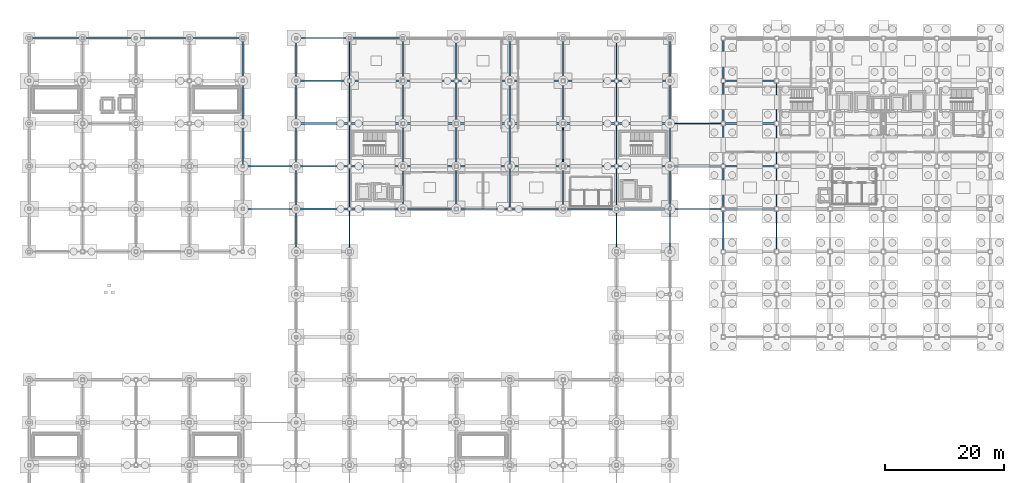
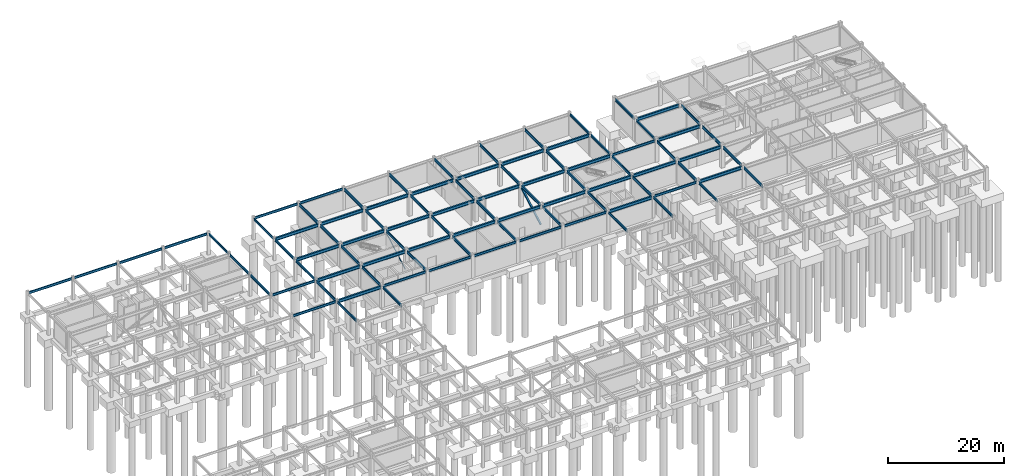
# One storey, part 19 of 28: 91 beams, 2 members.
"""IFC4 building model written with IfcOpenShell, lengths in metres."""

from ifc_helpers import new_model, si_unit, direction, frame, origin, origin_2d, place, context, subcontext, project, spatial, hollow_rectangle, hollow_circle, i_section, extrude, material, material_profile, profile_set, type_object, element, save


model = new_model("IFC4")

# Units and contexts
model_context = context("Model", 3, precision=1e-05, world=origin(), true_north=direction((0.0, 1.0)))
body_context = subcontext(model_context, "Body", "Model", "MODEL_VIEW")
ifc_project = project(units=[si_unit("LENGTHUNIT", "METRE"), si_unit("AREAUNIT", "SQUARE_METRE"), si_unit("VOLUMEUNIT", "CUBIC_METRE"), si_unit("PLANEANGLEUNIT", "RADIAN"), si_unit("MASSUNIT", "GRAM", prefix="KILO")], contexts=[model_context])

# Site, building, storey
site_placement = place(None, origin())
site = spatial("IfcSite", under=ifc_project, at=site_placement, CompositionType="ELEMENT")
building_placement = place(site_placement, origin())
building = spatial("IfcBuilding", under=site, at=building_placement, Name="Kazanami Central Library", CompositionType="ELEMENT")
storey_placement = place(building_placement, frame((0.0, 0.0, -4.89990234375)))
storey = spatial("IfcBuildingStorey", under=building, at=storey_placement, Name="B01", CompositionType="ELEMENT", Elevation=-4.89990234375)

# Beams
ifc_material_1 = material(Name="Steel SN490B (325 MPa)", Category="steel")
ifc_material_profile_1 = material_profile(ifc_material_1, i_section(OverallWidth=0.199951171875, OverallDepth=0.60009765625, WebThickness=0.010986328125, FlangeThickness=0.01708984375, at=origin_2d()), Name="H-600x200x11x17")
ifc_profile_set_1 = profile_set([ifc_material_profile_1], Name="Steel SN490B (325 MPa)")
beam_type_1 = type_object("IfcBeamType", Name="BM-G-BY1", PredefinedType="BEAM", material=ifc_profile_set_1)
beam_1_placement = place(storey_placement, frame((45.0, 65.048095703125, 4.324951171875), z_axis=(0.0, 1.0, 0.0), x_axis=(-1.0, 0.0, 0.0)))
element("IfcBeam", 1, at=beam_1_placement, inside=storey, type_object=beam_type_1, Name="Girder G-BY1 B01 6/K-L", PredefinedType="BEAM", context=body_context, shape_type="SweptSolid", body=[
    extrude(i_section(OverallWidth=0.199951171875, OverallDepth=0.60009765625, WebThickness=0.010986328125, FlangeThickness=0.01708984375, at=origin_2d()), origin(), (0.0, 0.0, 1.0), 6.703857421875),
])
for number, where, z_axis, x_axis, name in (
    (2, (54.0, 65.123046875, 4.324951171875), (0.0, 1.0, 0.0), (-1.0, 0.0, 0.0), "Girder G-BY1 B01 7/K-L"),
    (3, (54.0, 72.322998046875, 4.324951171875), (0.0, 1.0, 0.0), (-1.0, 0.0, 0.0), "Girder G-BY1 B01 7/L-M"),
    (4, (54.0, 79.52294921875, 4.324951171875), (0.0, 1.0, 0.0), (-1.0, 0.0, 0.0), "Girder G-BY1 B01 7/M-N"),
):
    element("IfcBeam", number, at=place(storey_placement, frame(where, z_axis=z_axis, x_axis=x_axis)), inside=storey, type_object=beam_type_1, Name=name, PredefinedType="BEAM", context=body_context, shape_type="SweptSolid", body=[
        extrude(i_section(OverallWidth=0.199951171875, OverallDepth=0.60009765625, WebThickness=0.010986328125, FlangeThickness=0.01708984375, at=origin_2d()), origin(), (0.0, 0.0, 1.0), 6.553955078125),
    ])
beam_2_placement = place(storey_placement, frame((54.0, 86.722900390625, 4.324951171875), z_axis=(0.0, 1.0, 0.0), x_axis=(-1.0, 0.0, 0.0)))
element("IfcBeam", 5, at=beam_2_placement, inside=storey, type_object=beam_type_1, Name="Girder G-BY1 B01 7/N-O", PredefinedType="BEAM", context=body_context, shape_type="SweptSolid", body=[
    extrude(i_section(OverallWidth=0.199951171875, OverallDepth=0.60009765625, WebThickness=0.010986328125, FlangeThickness=0.01708984375, at=origin_2d()), origin(), (0.0, 0.0, 1.0), 6.629150390625),
])
for number, where, z_axis, x_axis, name in (
    (6, (63.0, 65.123046875, 4.324951171875), (0.0, 1.0, 0.0), (-1.0, 0.0, 0.0), "Girder G-BY1 B01 8/K-L"),
    (7, (63.0, 72.322998046875, 4.324951171875), (0.0, 1.0, 0.0), (-1.0, 0.0, 0.0), "Girder G-BY1 B01 8/L-M"),
    (8, (63.0, 79.52294921875, 4.324951171875), (0.0, 1.0, 0.0), (-1.0, 0.0, 0.0), "Girder G-BY1 B01 8/M-N"),
):
    element("IfcBeam", number, at=place(storey_placement, frame(where, z_axis=z_axis, x_axis=x_axis)), inside=storey, type_object=beam_type_1, Name=name, PredefinedType="BEAM", context=body_context, shape_type="SweptSolid", body=[
        extrude(i_section(OverallWidth=0.199951171875, OverallDepth=0.60009765625, WebThickness=0.010986328125, FlangeThickness=0.01708984375, at=origin_2d()), origin(), (0.0, 0.0, 1.0), 6.553955078125),
    ])
beam_3_placement = place(storey_placement, frame((63.0, 86.722900390625, 4.324951171875), z_axis=(0.0, 1.0, 0.0), x_axis=(-1.0, 0.0, 0.0)))
element("IfcBeam", 9, at=beam_3_placement, inside=storey, type_object=beam_type_1, Name="Girder G-BY1 B01 8/N-O", PredefinedType="BEAM", context=body_context, shape_type="SweptSolid", body=[
    extrude(i_section(OverallWidth=0.199951171875, OverallDepth=0.60009765625, WebThickness=0.010986328125, FlangeThickness=0.01708984375, at=origin_2d()), origin(), (0.0, 0.0, 1.0), 6.629150390625),
])
for number, where, z_axis, x_axis, name in (
    (10, (72.0, 65.123046875, 4.324951171875), (0.0, 1.0, 0.0), (-1.0, 0.0, 0.0), "Girder G-BY1 B01 9/K-L"),
    (11, (72.0, 72.322998046875, 4.324951171875), (0.0, 1.0, 0.0), (-1.0, 0.0, 0.0), "Girder G-BY1 B01 9/L-M"),
    (12, (72.0, 79.52294921875, 4.324951171875), (0.0, 1.0, 0.0), (-1.0, 0.0, 0.0), "Girder G-BY1 B01 9/M-N"),
):
    element("IfcBeam", number, at=place(storey_placement, frame(where, z_axis=z_axis, x_axis=x_axis)), inside=storey, type_object=beam_type_1, Name=name, PredefinedType="BEAM", context=body_context, shape_type="SweptSolid", body=[
        extrude(i_section(OverallWidth=0.199951171875, OverallDepth=0.60009765625, WebThickness=0.010986328125, FlangeThickness=0.01708984375, at=origin_2d()), origin(), (0.0, 0.0, 1.0), 6.553955078125),
    ])
beam_4_placement = place(storey_placement, frame((72.0, 86.722900390625, 4.324951171875), z_axis=(0.0, 1.0, 0.0), x_axis=(-1.0, 0.0, 0.0)))
element("IfcBeam", 13, at=beam_4_placement, inside=storey, type_object=beam_type_1, Name="Girder G-BY1 B01 9/N-O", PredefinedType="BEAM", context=body_context, shape_type="SweptSolid", body=[
    extrude(i_section(OverallWidth=0.199951171875, OverallDepth=0.60009765625, WebThickness=0.010986328125, FlangeThickness=0.01708984375, at=origin_2d()), origin(), (0.0, 0.0, 1.0), 6.629150390625),
])
for number, where, z_axis, x_axis, name in (
    (14, (81.0, 65.123046875, 4.324951171875), (0.0, 1.0, 0.0), (-1.0, 0.0, 0.0), "Girder G-BY1 B01 10/K-L"),
    (15, (81.0, 72.322998046875, 4.324951171875), (0.0, 1.0, 0.0), (-1.0, 0.0, 0.0), "Girder G-BY1 B01 10/L-M"),
    (16, (81.0, 79.52294921875, 4.324951171875), (0.0, 1.0, 0.0), (-1.0, 0.0, 0.0), "Girder G-BY1 B01 10/M-N"),
):
    element("IfcBeam", number, at=place(storey_placement, frame(where, z_axis=z_axis, x_axis=x_axis)), inside=storey, type_object=beam_type_1, Name=name, PredefinedType="BEAM", context=body_context, shape_type="SweptSolid", body=[
        extrude(i_section(OverallWidth=0.199951171875, OverallDepth=0.60009765625, WebThickness=0.010986328125, FlangeThickness=0.01708984375, at=origin_2d()), origin(), (0.0, 0.0, 1.0), 6.553955078125),
    ])
beam_5_placement = place(storey_placement, frame((81.0, 86.722900390625, 4.324951171875), z_axis=(0.0, 1.0, 0.0), x_axis=(-1.0, 0.0, 0.0)))
element("IfcBeam", 17, at=beam_5_placement, inside=storey, type_object=beam_type_1, Name="Girder G-BY1 B01 10/N-O", PredefinedType="BEAM", context=body_context, shape_type="SweptSolid", body=[
    extrude(i_section(OverallWidth=0.199951171875, OverallDepth=0.60009765625, WebThickness=0.010986328125, FlangeThickness=0.01708984375, at=origin_2d()), origin(), (0.0, 0.0, 1.0), 6.629150390625),
])
for number, where, z_axis, x_axis, name in (
    (18, (90.0, 65.123046875, 4.324951171875), (0.0, 1.0, 0.0), (-1.0, 0.0, 0.0), "Girder G-BY1 B01 11/K-L"),
    (19, (90.0, 72.322998046875, 4.324951171875), (0.0, 1.0, 0.0), (-1.0, 0.0, 0.0), "Girder G-BY1 B01 11/L-M"),
    (20, (90.0, 79.52294921875, 4.324951171875), (0.0, 1.0, 0.0), (-1.0, 0.0, 0.0), "Girder G-BY1 B01 11/M-N"),
):
    element("IfcBeam", number, at=place(storey_placement, frame(where, z_axis=z_axis, x_axis=x_axis)), inside=storey, type_object=beam_type_1, Name=name, PredefinedType="BEAM", context=body_context, shape_type="SweptSolid", body=[
        extrude(i_section(OverallWidth=0.199951171875, OverallDepth=0.60009765625, WebThickness=0.010986328125, FlangeThickness=0.01708984375, at=origin_2d()), origin(), (0.0, 0.0, 1.0), 6.553955078125),
    ])
beam_6_placement = place(storey_placement, frame((90.0, 86.722900390625, 4.324951171875), z_axis=(0.0, 1.0, 0.0), x_axis=(-1.0, 0.0, 0.0)))
element("IfcBeam", 21, at=beam_6_placement, inside=storey, type_object=beam_type_1, Name="Girder G-BY1 B01 11/N-O", PredefinedType="BEAM", context=body_context, shape_type="SweptSolid", body=[
    extrude(i_section(OverallWidth=0.199951171875, OverallDepth=0.60009765625, WebThickness=0.010986328125, FlangeThickness=0.01708984375, at=origin_2d()), origin(), (0.0, 0.0, 1.0), 6.629150390625),
])
for number, where, z_axis, x_axis, name in (
    (22, (99.0, 65.123046875, 4.324951171875), (0.0, 1.0, 0.0), (-1.0, 0.0, 0.0), "Girder G-BY1 B01 12/K-L"),
    (23, (99.0, 72.322998046875, 4.324951171875), (0.0, 1.0, 0.0), (-1.0, 0.0, 0.0), "Girder G-BY1 B01 12/L-M"),
    (24, (99.0, 79.52294921875, 4.324951171875), (0.0, 1.0, 0.0), (-1.0, 0.0, 0.0), "Girder G-BY1 B01 12/M-N"),
):
    element("IfcBeam", number, at=place(storey_placement, frame(where, z_axis=z_axis, x_axis=x_axis)), inside=storey, type_object=beam_type_1, Name=name, PredefinedType="BEAM", context=body_context, shape_type="SweptSolid", body=[
        extrude(i_section(OverallWidth=0.199951171875, OverallDepth=0.60009765625, WebThickness=0.010986328125, FlangeThickness=0.01708984375, at=origin_2d()), origin(), (0.0, 0.0, 1.0), 6.553955078125),
    ])
beam_7_placement = place(storey_placement, frame((99.0, 86.722900390625, 4.324951171875), z_axis=(0.0, 1.0, 0.0), x_axis=(-1.0, 0.0, 0.0)))
element("IfcBeam", 25, at=beam_7_placement, inside=storey, type_object=beam_type_1, Name="Girder G-BY1 B01 12/N-O", PredefinedType="BEAM", context=body_context, shape_type="SweptSolid", body=[
    extrude(i_section(OverallWidth=0.199951171875, OverallDepth=0.60009765625, WebThickness=0.010986328125, FlangeThickness=0.01708984375, at=origin_2d()), origin(), (0.0, 0.0, 1.0), 6.629150390625),
])
for number, where, z_axis, x_axis, name in (
    (26, (108.0, 65.048095703125, 4.324951171875), (0.0, 1.0, 0.0), (-1.0, 0.0, 0.0), "Girder G-BY1 B01 13/K-L"),
    (27, (108.0, 72.248046875, 4.324951171875), (0.0, 1.0, 0.0), (-1.0, 0.0, 0.0), "Girder G-BY1 B01 13/L-M"),
):
    element("IfcBeam", number, at=place(storey_placement, frame(where, z_axis=z_axis, x_axis=x_axis)), inside=storey, type_object=beam_type_1, Name=name, PredefinedType="BEAM", context=body_context, shape_type="SweptSolid", body=[
        extrude(i_section(OverallWidth=0.199951171875, OverallDepth=0.60009765625, WebThickness=0.010986328125, FlangeThickness=0.01708984375, at=origin_2d()), origin(), (0.0, 0.0, 1.0), 6.703857421875),
    ])
for number, where, z_axis, x_axis, name in (
    (28, (117.0, 65.14794921875, 4.324951171875), (0.0, 1.0, 0.0), (-1.0, 0.0, 0.0), "Girder G-BY1 B01 14/K-L"),
    (29, (117.0, 72.347900390625, 4.324951171875), (0.0, 1.0, 0.0), (-1.0, 0.0, 0.0), "Girder G-BY1 B01 14/L-M"),
):
    element("IfcBeam", number, at=place(storey_placement, frame(where, z_axis=z_axis, x_axis=x_axis)), inside=storey, type_object=beam_type_1, Name=name, PredefinedType="BEAM", context=body_context, shape_type="SweptSolid", body=[
        extrude(i_section(OverallWidth=0.199951171875, OverallDepth=0.60009765625, WebThickness=0.010986328125, FlangeThickness=0.01708984375, at=origin_2d()), origin(), (0.0, 0.0, 1.0), 6.504150390625),
    ])
beam_8_placement = place(storey_placement, frame((126.0, 57.972900390625, 4.324951171875), z_axis=(0.0, 1.0, 0.0), x_axis=(-1.0, 0.0, 0.0)))
element("IfcBeam", 30, at=beam_8_placement, inside=storey, type_object=beam_type_1, Name="Girder G-BY1 B01 15/J-K", PredefinedType="BEAM", context=body_context, shape_type="SweptSolid", body=[
    extrude(i_section(OverallWidth=0.199951171875, OverallDepth=0.60009765625, WebThickness=0.010986328125, FlangeThickness=0.01708984375, at=origin_2d()), origin(), (0.0, 0.0, 1.0), 6.4541015625),
])
for number, where, z_axis, x_axis, name in (
    (31, (126.0, 65.173095703125, 4.324951171875), (0.0, 1.0, 0.0), (-1.0, 0.0, 0.0), "Girder G-BY1 B01 15/K-L"),
    (32, (126.0, 72.373046875, 4.324951171875), (0.0, 1.0, 0.0), (-1.0, 0.0, 0.0), "Girder G-BY1 B01 15/L-M"),
):
    element("IfcBeam", number, at=place(storey_placement, frame(where, z_axis=z_axis, x_axis=x_axis)), inside=storey, type_object=beam_type_1, Name=name, PredefinedType="BEAM", context=body_context, shape_type="SweptSolid", body=[
        extrude(i_section(OverallWidth=0.199951171875, OverallDepth=0.60009765625, WebThickness=0.010986328125, FlangeThickness=0.01708984375, at=origin_2d()), origin(), (0.0, 0.0, 1.0), 6.453857421875),
    ])
beam_9_placement = place(storey_placement, frame((126.0, 79.572998046875, 4.324951171875), z_axis=(0.0, 1.0, 0.0), x_axis=(-1.0, 0.0, 0.0)))
element("IfcBeam", 33, at=beam_9_placement, inside=storey, type_object=beam_type_1, Name="Girder G-BY1 B01 15/M-N", PredefinedType="BEAM", context=body_context, shape_type="SweptSolid", body=[
    extrude(i_section(OverallWidth=0.199951171875, OverallDepth=0.60009765625, WebThickness=0.010986328125, FlangeThickness=0.01708984375, at=origin_2d()), origin(), (0.0, 0.0, 1.0), 6.4541015625),
])
ifc_material_profile_2 = material_profile(ifc_material_1, i_section(OverallWidth=0.300048828125, OverallDepth=0.64990234375, WebThickness=0.012939453125, FlangeThickness=0.02099609375, at=origin_2d()), Name="H-650x300x13x21")
ifc_profile_set_2 = profile_set([ifc_material_profile_2], Name="Steel SN490B (325 MPa)")
beam_type_2 = type_object("IfcBeamType", Name="BM-G-TR", PredefinedType="BEAM", material=ifc_profile_set_2)
for number, where, z_axis, x_axis, name in (
    (34, (45.248046875, 64.800048828125, 4.2998046875), (1.0, 0.0, 0.0), (0.0, 1.0, 0.0), "Girder G-TR B01 K/6-7"),
    (35, (99.322998046875, 64.800048828125, 4.2998046875), (1.0, 0.0, 0.0), (0.0, 1.0, 0.0), "Girder G-TR B01 K/12-13"),
):
    element("IfcBeam", number, at=place(storey_placement, frame(where, z_axis=z_axis, x_axis=x_axis)), inside=storey, type_object=beam_type_2, Name=name, PredefinedType="BEAM", context=body_context, shape_type="SweptSolid", body=[
        extrude(i_section(OverallWidth=0.300048828125, OverallDepth=0.64990234375, WebThickness=0.012939453125, FlangeThickness=0.02099609375, at=origin_2d()), origin(), (0.0, 0.0, 1.0), 8.428955078125),
    ])
beam_10_placement = place(storey_placement, frame((117.347900390625, 64.800048828125, 4.2998046875), z_axis=(1.0, 0.0, 0.0), x_axis=(0.0, 1.0, 0.0)))
element("IfcBeam", 36, at=beam_10_placement, inside=storey, type_object=beam_type_2, Name="Girder G-TR B01 K/14-15", PredefinedType="BEAM", context=body_context, shape_type="SweptSolid", body=[
    extrude(i_section(OverallWidth=0.300048828125, OverallDepth=0.64990234375, WebThickness=0.012939453125, FlangeThickness=0.02099609375, at=origin_2d()), origin(), (0.0, 0.0, 1.0), 8.279052734375),
])
beam_11_placement = place(storey_placement, frame((45.248046875, 72.0, 4.2998046875), z_axis=(1.0, 0.0, 0.0), x_axis=(0.0, 1.0, 0.0)))
element("IfcBeam", 37, at=beam_11_placement, inside=storey, type_object=beam_type_2, Name="Girder G-TR B01 L/6-7", PredefinedType="BEAM", context=body_context, shape_type="SweptSolid", body=[
    extrude(i_section(OverallWidth=0.300048828125, OverallDepth=0.64990234375, WebThickness=0.012939453125, FlangeThickness=0.02099609375, at=origin_2d()), origin(), (0.0, 0.0, 1.0), 8.428955078125),
])
for number, where, z_axis, x_axis, name in (
    (38, (54.322998046875, 72.0, 4.2998046875), (1.0, 0.0, 0.0), (0.0, 1.0, 0.0), "Girder G-TR B01 L/7-8"),
    (39, (63.322998046875, 72.0, 4.2998046875), (1.0, 0.0, 0.0), (0.0, 1.0, 0.0), "Girder G-TR B01 L/8-9"),
    (40, (72.322998046875, 72.0, 4.2998046875), (1.0, 0.0, 0.0), (0.0, 1.0, 0.0), "Girder G-TR B01 L/9-10"),
    (41, (81.322998046875, 72.0, 4.2998046875), (1.0, 0.0, 0.0), (0.0, 1.0, 0.0), "Girder G-TR B01 L/10-11"),
    (42, (90.322998046875, 72.0, 4.2998046875), (1.0, 0.0, 0.0), (0.0, 1.0, 0.0), "Girder G-TR B01 L/11-12"),
):
    element("IfcBeam", number, at=place(storey_placement, frame(where, z_axis=z_axis, x_axis=x_axis)), inside=storey, type_object=beam_type_2, Name=name, PredefinedType="BEAM", context=body_context, shape_type="SweptSolid", body=[
        extrude(i_section(OverallWidth=0.300048828125, OverallDepth=0.64990234375, WebThickness=0.012939453125, FlangeThickness=0.02099609375, at=origin_2d()), origin(), (0.0, 0.0, 1.0), 8.35400390625),
    ])
beam_12_placement = place(storey_placement, frame((99.322998046875, 72.0, 4.2998046875), z_axis=(1.0, 0.0, 0.0), x_axis=(0.0, 1.0, 0.0)))
element("IfcBeam", 43, at=beam_12_placement, inside=storey, type_object=beam_type_2, Name="Girder G-TR B01 L/12-13", PredefinedType="BEAM", context=body_context, shape_type="SweptSolid", body=[
    extrude(i_section(OverallWidth=0.300048828125, OverallDepth=0.64990234375, WebThickness=0.012939453125, FlangeThickness=0.02099609375, at=origin_2d()), origin(), (0.0, 0.0, 1.0), 8.428955078125),
])
beam_13_placement = place(storey_placement, frame((108.248046875, 72.0, 4.2998046875), z_axis=(1.0, 0.0, 0.0), x_axis=(0.0, 1.0, 0.0)))
element("IfcBeam", 44, at=beam_13_placement, inside=storey, type_object=beam_type_2, Name="Covered Link Bridge Girder G-TR B01 L/13-14", PredefinedType="BEAM", context=body_context, shape_type="SweptSolid", body=[
    extrude(i_section(OverallWidth=0.300048828125, OverallDepth=0.64990234375, WebThickness=0.012939453125, FlangeThickness=0.02099609375, at=origin_2d()), origin(), (0.0, 0.0, 1.0), 8.404052734375),
])
beam_14_placement = place(storey_placement, frame((117.347900390625, 72.0, 4.2998046875), z_axis=(1.0, 0.0, 0.0), x_axis=(0.0, 1.0, 0.0)))
element("IfcBeam", 45, at=beam_14_placement, inside=storey, type_object=beam_type_2, Name="Girder G-TR B01 L/14-15", PredefinedType="BEAM", context=body_context, shape_type="SweptSolid", body=[
    extrude(i_section(OverallWidth=0.300048828125, OverallDepth=0.64990234375, WebThickness=0.012939453125, FlangeThickness=0.02099609375, at=origin_2d()), origin(), (0.0, 0.0, 1.0), 8.279052734375),
])
beam_15_placement = place(storey_placement, frame((45.248046875, 79.199951171875, 4.2998046875), z_axis=(1.0, 0.0, 0.0), x_axis=(0.0, 1.0, 0.0)))
element("IfcBeam", 46, at=beam_15_placement, inside=storey, type_object=beam_type_2, Name="Girder G-TR B01 M/6-7", PredefinedType="BEAM", context=body_context, shape_type="SweptSolid", body=[
    extrude(i_section(OverallWidth=0.300048828125, OverallDepth=0.64990234375, WebThickness=0.012939453125, FlangeThickness=0.02099609375, at=origin_2d()), origin(), (0.0, 0.0, 1.0), 8.428955078125),
])
for number, where, z_axis, x_axis, name in (
    (47, (54.322998046875, 79.199951171875, 4.2998046875), (1.0, 0.0, 0.0), (0.0, 1.0, 0.0), "Girder G-TR B01 M/7-8"),
    (48, (63.322998046875, 79.199951171875, 4.2998046875), (1.0, 0.0, 0.0), (0.0, 1.0, 0.0), "Girder G-TR B01 M/8-9"),
    (49, (72.322998046875, 79.199951171875, 4.2998046875), (1.0, 0.0, 0.0), (0.0, 1.0, 0.0), "Girder G-TR B01 M/9-10"),
    (50, (81.322998046875, 79.199951171875, 4.2998046875), (1.0, 0.0, 0.0), (0.0, 1.0, 0.0), "Girder G-TR B01 M/10-11"),
    (51, (90.322998046875, 79.199951171875, 4.2998046875), (1.0, 0.0, 0.0), (0.0, 1.0, 0.0), "Girder G-TR B01 M/11-12"),
):
    element("IfcBeam", number, at=place(storey_placement, frame(where, z_axis=z_axis, x_axis=x_axis)), inside=storey, type_object=beam_type_2, Name=name, PredefinedType="BEAM", context=body_context, shape_type="SweptSolid", body=[
        extrude(i_section(OverallWidth=0.300048828125, OverallDepth=0.64990234375, WebThickness=0.012939453125, FlangeThickness=0.02099609375, at=origin_2d()), origin(), (0.0, 0.0, 1.0), 8.35400390625),
    ])
beam_16_placement = place(storey_placement, frame((99.322998046875, 79.199951171875, 4.2998046875), z_axis=(1.0, 0.0, 0.0), x_axis=(0.0, 1.0, 0.0)))
element("IfcBeam", 52, at=beam_16_placement, inside=storey, type_object=beam_type_2, Name="Girder G-TR B01 M/12-13", PredefinedType="BEAM", context=body_context, shape_type="SweptSolid", body=[
    extrude(i_section(OverallWidth=0.300048828125, OverallDepth=0.64990234375, WebThickness=0.012939453125, FlangeThickness=0.02099609375, at=origin_2d()), origin(), (0.0, 0.0, 1.0), 8.428955078125),
])
beam_17_placement = place(storey_placement, frame((117.347900390625, 79.199951171875, 4.2998046875), z_axis=(1.0, 0.0, 0.0), x_axis=(0.0, 1.0, 0.0)))
element("IfcBeam", 53, at=beam_17_placement, inside=storey, type_object=beam_type_2, Name="Girder G-TR B01 M/14-15", PredefinedType="BEAM", context=body_context, shape_type="SweptSolid", body=[
    extrude(i_section(OverallWidth=0.300048828125, OverallDepth=0.64990234375, WebThickness=0.012939453125, FlangeThickness=0.02099609375, at=origin_2d()), origin(), (0.0, 0.0, 1.0), 8.279052734375),
])
beam_18_placement = place(storey_placement, frame((45.248046875, 86.39990234375, 4.2998046875), z_axis=(1.0, 0.0, 0.0), x_axis=(0.0, 1.0, 0.0)))
element("IfcBeam", 54, at=beam_18_placement, inside=storey, type_object=beam_type_2, Name="Girder G-TR B01 N/6-7", PredefinedType="BEAM", context=body_context, shape_type="SweptSolid", body=[
    extrude(i_section(OverallWidth=0.300048828125, OverallDepth=0.64990234375, WebThickness=0.012939453125, FlangeThickness=0.02099609375, at=origin_2d()), origin(), (0.0, 0.0, 1.0), 8.428955078125),
])
for number, where, z_axis, x_axis, name in (
    (55, (54.322998046875, 86.39990234375, 4.2998046875), (1.0, 0.0, 0.0), (0.0, 1.0, 0.0), "Girder G-TR B01 N/7-8"),
    (56, (63.322998046875, 86.39990234375, 4.2998046875), (1.0, 0.0, 0.0), (0.0, 1.0, 0.0), "Girder G-TR B01 N/8-9"),
    (57, (72.322998046875, 86.39990234375, 4.2998046875), (1.0, 0.0, 0.0), (0.0, 1.0, 0.0), "Girder G-TR B01 N/9-10"),
    (58, (81.322998046875, 86.39990234375, 4.2998046875), (1.0, 0.0, 0.0), (0.0, 1.0, 0.0), "Girder G-TR B01 N/10-11"),
    (59, (90.322998046875, 86.39990234375, 4.2998046875), (1.0, 0.0, 0.0), (0.0, 1.0, 0.0), "Girder G-TR B01 N/11-12"),
):
    element("IfcBeam", number, at=place(storey_placement, frame(where, z_axis=z_axis, x_axis=x_axis)), inside=storey, type_object=beam_type_2, Name=name, PredefinedType="BEAM", context=body_context, shape_type="SweptSolid", body=[
        extrude(i_section(OverallWidth=0.300048828125, OverallDepth=0.64990234375, WebThickness=0.012939453125, FlangeThickness=0.02099609375, at=origin_2d()), origin(), (0.0, 0.0, 1.0), 8.35400390625),
    ])
beam_19_placement = place(storey_placement, frame((99.322998046875, 86.39990234375, 4.2998046875), z_axis=(1.0, 0.0, 0.0), x_axis=(0.0, 1.0, 0.0)))
element("IfcBeam", 60, at=beam_19_placement, inside=storey, type_object=beam_type_2, Name="Girder G-TR B01 N/12-13", PredefinedType="BEAM", context=body_context, shape_type="SweptSolid", body=[
    extrude(i_section(OverallWidth=0.300048828125, OverallDepth=0.64990234375, WebThickness=0.012939453125, FlangeThickness=0.02099609375, at=origin_2d()), origin(), (0.0, 0.0, 1.0), 8.428955078125),
])
beam_20_placement = place(storey_placement, frame((117.347900390625, 86.39990234375, 4.2998046875), z_axis=(1.0, 0.0, 0.0), x_axis=(0.0, 1.0, 0.0)))
element("IfcBeam", 61, at=beam_20_placement, inside=storey, type_object=beam_type_2, Name="Girder G-TR B01 N/14-15", PredefinedType="BEAM", context=body_context, shape_type="SweptSolid", body=[
    extrude(i_section(OverallWidth=0.300048828125, OverallDepth=0.64990234375, WebThickness=0.012939453125, FlangeThickness=0.02099609375, at=origin_2d()), origin(), (0.0, 0.0, 1.0), 8.279052734375),
])
ifc_material_profile_3 = material_profile(ifc_material_1, i_section(OverallWidth=0.199951171875, OverallDepth=0.5, WebThickness=0.010009765625, FlangeThickness=0.01611328125, at=origin_2d()), Name="H-500x200x10x16")
ifc_profile_set_3 = profile_set([ifc_material_profile_3], Name="Steel SN490B (325 MPa)")
beam_type_3 = type_object("IfcBeamType", Name="BM-SP-1", PredefinedType="SPANDREL", material=ifc_profile_set_3)
beam_21_placement = place(storey_placement, frame((36.248046875, 64.800048828125, 4.375), z_axis=(1.0, 0.0, 0.0), x_axis=(0.0, 1.0, 0.0)))
element("IfcBeam", 62, at=beam_21_placement, inside=storey, type_object=beam_type_3, Name="Covered Link Bridge Girder SP-1 B01 K/5-6", PredefinedType="SPANDREL", context=body_context, shape_type="SweptSolid", body=[
    extrude(i_section(OverallWidth=0.199951171875, OverallDepth=0.5, WebThickness=0.010009765625, FlangeThickness=0.01611328125, at=origin_2d()), origin(), (0.0, 0.0, 1.0), 8.50390625),
])
for number, where, z_axis, x_axis, name in (
    (63, (54.322998046875, 64.800048828125, 4.375), (1.0, 0.0, 0.0), (0.0, 1.0, 0.0), "Girder SP-1 B01 K/7-8"),
    (64, (63.322998046875, 64.800048828125, 4.375), (1.0, 0.0, 0.0), (0.0, 1.0, 0.0), "Girder SP-1 B01 K/8-9"),
    (65, (72.322998046875, 64.800048828125, 4.375), (1.0, 0.0, 0.0), (0.0, 1.0, 0.0), "Girder SP-1 B01 K/9-10"),
    (66, (81.322998046875, 64.800048828125, 4.375), (1.0, 0.0, 0.0), (0.0, 1.0, 0.0), "Girder SP-1 B01 K/10-11"),
    (67, (90.322998046875, 64.800048828125, 4.375), (1.0, 0.0, 0.0), (0.0, 1.0, 0.0), "Girder SP-1 B01 K/11-12"),
):
    element("IfcBeam", number, at=place(storey_placement, frame(where, z_axis=z_axis, x_axis=x_axis)), inside=storey, type_object=beam_type_3, Name=name, PredefinedType="SPANDREL", context=body_context, shape_type="SweptSolid", body=[
        extrude(i_section(OverallWidth=0.199951171875, OverallDepth=0.5, WebThickness=0.010009765625, FlangeThickness=0.01611328125, at=origin_2d()), origin(), (0.0, 0.0, 1.0), 8.35400390625),
    ])
beam_22_placement = place(storey_placement, frame((108.248046875, 64.800048828125, 4.375), z_axis=(1.0, 0.0, 0.0), x_axis=(0.0, 1.0, 0.0)))
element("IfcBeam", 68, at=beam_22_placement, inside=storey, type_object=beam_type_3, Name="Covered Link Bridge Girder SP-1 B01 K/13-14", PredefinedType="SPANDREL", context=body_context, shape_type="SweptSolid", body=[
    extrude(i_section(OverallWidth=0.199951171875, OverallDepth=0.5, WebThickness=0.010009765625, FlangeThickness=0.01611328125, at=origin_2d()), origin(), (0.0, 0.0, 1.0), 8.404052734375),
])
beam_23_placement = place(storey_placement, frame((36.248046875, 72.0, 4.375), z_axis=(1.0, 0.0, 0.0), x_axis=(0.0, 1.0, 0.0)))
element("IfcBeam", 69, at=beam_23_placement, inside=storey, type_object=beam_type_3, Name="Covered Link Bridge Girder SP-1 B01 L/5-6", PredefinedType="SPANDREL", context=body_context, shape_type="SweptSolid", body=[
    extrude(i_section(OverallWidth=0.199951171875, OverallDepth=0.5, WebThickness=0.010009765625, FlangeThickness=0.01611328125, at=origin_2d()), origin(), (0.0, 0.0, 1.0), 8.50390625),
])
beam_24_placement = place(storey_placement, frame((108.248046875, 79.199951171875, 4.375), z_axis=(1.0, 0.0, 0.0), x_axis=(0.0, 1.0, 0.0)))
element("IfcBeam", 70, at=beam_24_placement, inside=storey, type_object=beam_type_3, Name="Covered Link Bridge Girder SP-1 B01 M/13-14", PredefinedType="SPANDREL", context=body_context, shape_type="SweptSolid", body=[
    extrude(i_section(OverallWidth=0.199951171875, OverallDepth=0.5, WebThickness=0.010009765625, FlangeThickness=0.01611328125, at=origin_2d()), origin(), (0.0, 0.0, 1.0), 8.404052734375),
])
for number, where, z_axis, x_axis, name in (
    (71, (0.248046875, 93.60009765625, 4.375), (1.0, 0.0, 0.0), (0.0, 1.0, 0.0), "Girder SP-1 B01 O/1-2"),
    (72, (9.248046875, 93.60009765625, 4.375), (1.0, 0.0, 0.0), (0.0, 1.0, 0.0), "Girder SP-1 B01 O/2-3"),
    (73, (18.248046875, 93.60009765625, 4.375), (1.0, 0.0, 0.0), (0.0, 1.0, 0.0), "Girder SP-1 B01 O/3-4"),
    (74, (27.248046875, 93.60009765625, 4.375), (1.0, 0.0, 0.0), (0.0, 1.0, 0.0), "Girder SP-1 B01 O/4-5"),
    (75, (45.248046875, 93.60009765625, 4.375), (1.0, 0.0, 0.0), (0.0, 1.0, 0.0), "Girder SP-1 B01 O/6-7"),
    (76, (54.248046875, 93.60009765625, 4.375), (1.0, 0.0, 0.0), (0.0, 1.0, 0.0), "Girder SP-1 B01 O/7-8"),
):
    element("IfcBeam", number, at=place(storey_placement, frame(where, z_axis=z_axis, x_axis=x_axis)), inside=storey, type_object=beam_type_3, Name=name, PredefinedType="SPANDREL", context=body_context, shape_type="SweptSolid", body=[
        extrude(i_section(OverallWidth=0.199951171875, OverallDepth=0.5, WebThickness=0.010009765625, FlangeThickness=0.01611328125, at=origin_2d()), origin(), (0.0, 0.0, 1.0), 8.50390625),
    ])
beam_25_placement = place(storey_placement, frame((36.0, 72.248046875, 4.375), z_axis=(0.0, 1.0, 0.0), x_axis=(-1.0, 0.0, 0.0)))
element("IfcBeam", 77, at=beam_25_placement, inside=storey, type_object=beam_type_3, Name="Girder SP-1 B01 5/L-M", PredefinedType="SPANDREL", context=body_context, shape_type="SweptSolid", body=[
    extrude(i_section(OverallWidth=0.199951171875, OverallDepth=0.5, WebThickness=0.010009765625, FlangeThickness=0.01611328125, at=origin_2d()), origin(), (0.0, 0.0, 1.0), 6.703857421875),
])
for number, where, z_axis, x_axis, name in (
    (78, (36.0, 79.447998046875, 4.375), (0.0, 1.0, 0.0), (-1.0, 0.0, 0.0), "Girder SP-1 B01 5/M-N"),
    (79, (36.0, 86.64794921875, 4.375), (0.0, 1.0, 0.0), (-1.0, 0.0, 0.0), "Girder SP-1 B01 5/N-O"),
    (80, (45.0, 57.847900390625, 4.375), (0.0, 1.0, 0.0), (-1.0, 0.0, 0.0), "Girder SP-1 B01 6/J-K"),
):
    element("IfcBeam", number, at=place(storey_placement, frame(where, z_axis=z_axis, x_axis=x_axis)), inside=storey, type_object=beam_type_3, Name=name, PredefinedType="SPANDREL", context=body_context, shape_type="SweptSolid", body=[
        extrude(i_section(OverallWidth=0.199951171875, OverallDepth=0.5, WebThickness=0.010009765625, FlangeThickness=0.01611328125, at=origin_2d()), origin(), (0.0, 0.0, 1.0), 6.7041015625),
    ])
beam_26_placement = place(storey_placement, frame((45.0, 72.248046875, 4.375), z_axis=(0.0, 1.0, 0.0), x_axis=(-1.0, 0.0, 0.0)))
element("IfcBeam", 81, at=beam_26_placement, inside=storey, type_object=beam_type_3, Name="Girder SP-1 B01 6/L-M", PredefinedType="SPANDREL", context=body_context, shape_type="SweptSolid", body=[
    extrude(i_section(OverallWidth=0.199951171875, OverallDepth=0.5, WebThickness=0.010009765625, FlangeThickness=0.01611328125, at=origin_2d()), origin(), (0.0, 0.0, 1.0), 6.703857421875),
])
for number, where, z_axis, x_axis, name in (
    (82, (45.0, 79.447998046875, 4.375), (0.0, 1.0, 0.0), (-1.0, 0.0, 0.0), "Girder SP-1 B01 6/M-N"),
    (83, (45.0, 86.64794921875, 4.375), (0.0, 1.0, 0.0), (-1.0, 0.0, 0.0), "Girder SP-1 B01 6/N-O"),
):
    element("IfcBeam", number, at=place(storey_placement, frame(where, z_axis=z_axis, x_axis=x_axis)), inside=storey, type_object=beam_type_3, Name=name, PredefinedType="SPANDREL", context=body_context, shape_type="SweptSolid", body=[
        extrude(i_section(OverallWidth=0.199951171875, OverallDepth=0.5, WebThickness=0.010009765625, FlangeThickness=0.01611328125, at=origin_2d()), origin(), (0.0, 0.0, 1.0), 6.7041015625),
    ])
for number, where, z_axis, x_axis, name in (
    (84, (54.0, 57.923095703125, 4.375), (0.0, 1.0, 0.0), (-1.0, 0.0, 0.0), "Girder SP-1 B01 7/J-K"),
    (85, (99.0, 57.923095703125, 4.375), (0.0, 1.0, 0.0), (-1.0, 0.0, 0.0), "Girder SP-1 B01 12/J-K"),
):
    element("IfcBeam", number, at=place(storey_placement, frame(where, z_axis=z_axis, x_axis=x_axis)), inside=storey, type_object=beam_type_3, Name=name, PredefinedType="SPANDREL", context=body_context, shape_type="SweptSolid", body=[
        extrude(i_section(OverallWidth=0.199951171875, OverallDepth=0.5, WebThickness=0.010009765625, FlangeThickness=0.01611328125, at=origin_2d()), origin(), (0.0, 0.0, 1.0), 6.553955078125),
    ])
for number, where, z_axis, x_axis, name in (
    (86, (108.0, 57.847900390625, 4.375), (0.0, 1.0, 0.0), (-1.0, 0.0, 0.0), "Girder SP-1 B01 13/J-K"),
    (87, (108.0, 79.447998046875, 4.375), (0.0, 1.0, 0.0), (-1.0, 0.0, 0.0), "Girder SP-1 B01 13/M-N"),
    (88, (108.0, 86.64794921875, 4.375), (0.0, 1.0, 0.0), (-1.0, 0.0, 0.0), "Girder SP-1 B01 13/N-O"),
):
    element("IfcBeam", number, at=place(storey_placement, frame(where, z_axis=z_axis, x_axis=x_axis)), inside=storey, type_object=beam_type_3, Name=name, PredefinedType="SPANDREL", context=body_context, shape_type="SweptSolid", body=[
        extrude(i_section(OverallWidth=0.199951171875, OverallDepth=0.5, WebThickness=0.010009765625, FlangeThickness=0.01611328125, at=origin_2d()), origin(), (0.0, 0.0, 1.0), 6.7041015625),
    ])
for number, where, z_axis, x_axis, name in (
    (89, (117.0, 57.947998046875, 4.375), (0.0, 1.0, 0.0), (-1.0, 0.0, 0.0), "Girder SP-1 B01 14/J-K"),
    (90, (117.0, 79.548095703125, 4.375), (0.0, 1.0, 0.0), (-1.0, 0.0, 0.0), "Girder SP-1 B01 14/M-N"),
    (91, (117.0, 86.748046875, 4.375), (0.0, 1.0, 0.0), (-1.0, 0.0, 0.0), "Girder SP-1 B01 14/N-O"),
):
    element("IfcBeam", number, at=place(storey_placement, frame(where, z_axis=z_axis, x_axis=x_axis)), inside=storey, type_object=beam_type_3, Name=name, PredefinedType="SPANDREL", context=body_context, shape_type="SweptSolid", body=[
        extrude(i_section(OverallWidth=0.199951171875, OverallDepth=0.5, WebThickness=0.010009765625, FlangeThickness=0.01611328125, at=origin_2d()), origin(), (0.0, 0.0, 1.0), 6.50390625),
    ])

# Members
ifc_material_2 = material(Name="Steel STK490 (315 MPa)", Category="steel")
ifc_material_profile_4 = material_profile(ifc_material_2, hollow_circle(Radius=0.095458984375, WallThickness=0.007080078125, at=origin_2d()), Name="CHS-190.7x7.0")
ifc_profile_set_4 = profile_set([ifc_material_profile_4], Name="Steel STK490 (315 MPa)")
member_type_1 = type_object("IfcMemberType", Name="MEM-BR-05", PredefinedType="BRACE", material=ifc_profile_set_4)
member_1_placement = place(storey_placement, frame((63.0, 72.324951171875, 0.25), z_axis=(0.0, 0.870982742301, 0.491313609228), x_axis=(-1.0, 0.0, 0.0)))
element("IfcMember", 92, at=member_1_placement, inside=storey, type_object=member_type_1, Name="Concentric Steel Brace BR-05 B01 BF-V1A", PredefinedType="BRACE", context=body_context, shape_type="SweptSolid", body=[
    extrude(hollow_circle(Radius=0.095458984375, WallThickness=0.007080078125, at=origin_2d()), origin(), (0.0, 0.0, 1.0), 7.520263671875),
])
ifc_material_profile_5 = material_profile(ifc_material_2, hollow_rectangle(XDim=0.300048828125, YDim=0.300048828125, WallThickness=0.011962890625, at=origin_2d()), Name="STKR-300x300x12")
ifc_profile_set_5 = profile_set([ifc_material_profile_5], Name="Steel STK490 (315 MPa)")
member_type_2 = type_object("IfcMemberType", Name="MEM-BR-06", PredefinedType="BRACE", material=ifc_profile_set_5)
member_2_placement = place(storey_placement, frame((90.0, 72.324951171875, 0.25), z_axis=(0.0, 0.870982742301, 0.491313609228), x_axis=(-1.0, 0.0, 0.0)))
element("IfcMember", 93, at=member_2_placement, inside=storey, type_object=member_type_2, Name="Concentric Steel Brace BR-06 B01 BF-V1B", PredefinedType="BRACE", context=body_context, shape_type="SweptSolid", body=[
    extrude(hollow_rectangle(XDim=0.300048828125, YDim=0.300048828125, WallThickness=0.011962890625, at=origin_2d()), origin(), (0.0, 0.0, 1.0), 7.520263671875),
])

save(model, "model.ifc")
